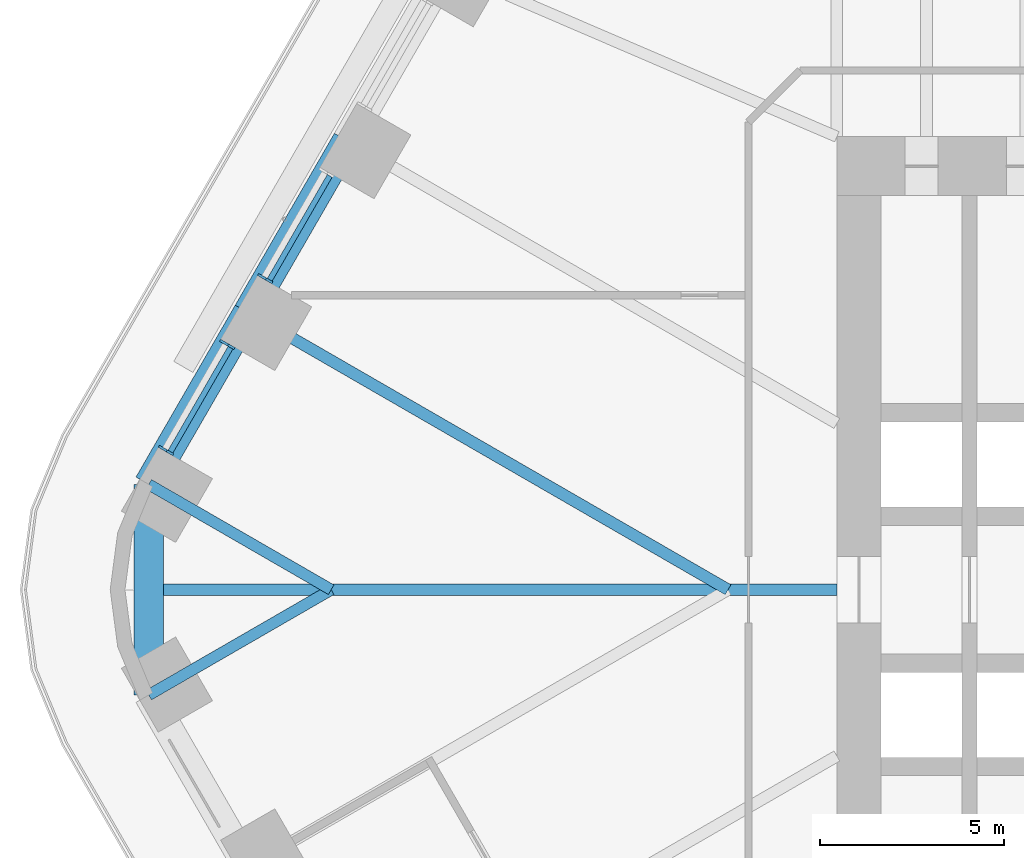
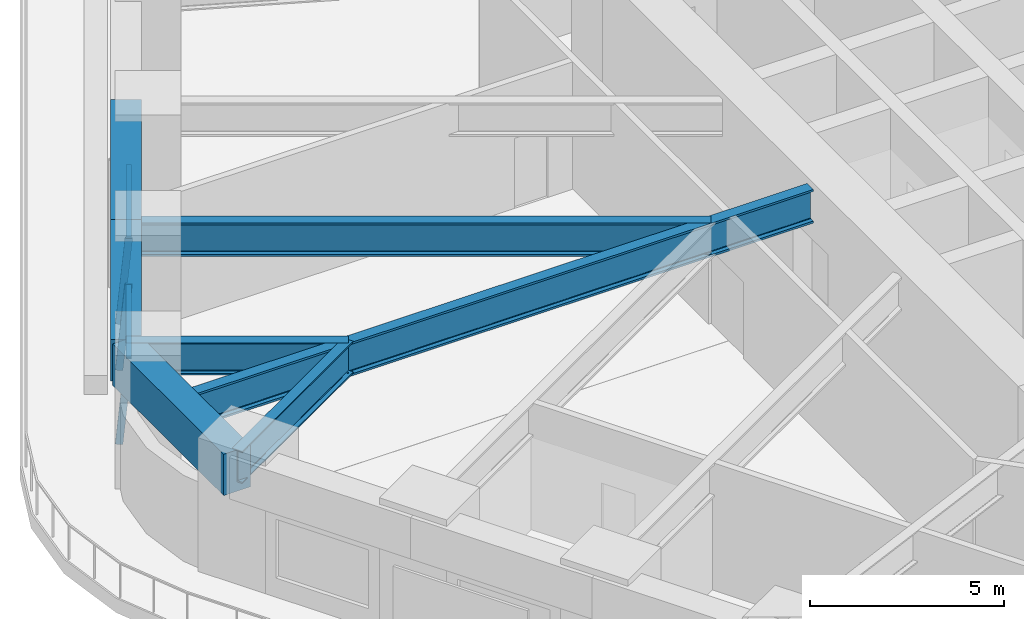
# One storey, part 6 of 24: 7 beams, 5 members, 2 elements without a shape of their own.
"""IFC4 building model written with IfcOpenShell, lengths in metres."""

from ifc_helpers import new_model, si_unit, direction, frame, origin, origin_2d, place, context, subcontext, project, spatial, rectangle, i_section, extrude, material, material_profile, profile_set, type_object, element, aggregate, save


model = new_model("IFC4")

# Units and contexts
model_context = context("Model", 3, precision=1e-05, world=origin(), true_north=direction((0.0, 1.0)))
body_context = subcontext(model_context, "Body", "Model", "MODEL_VIEW")
ifc_project = project(units=[si_unit("LENGTHUNIT", "METRE"), si_unit("AREAUNIT", "SQUARE_METRE"), si_unit("VOLUMEUNIT", "CUBIC_METRE"), si_unit("PLANEANGLEUNIT", "RADIAN"), si_unit("MASSUNIT", "GRAM", prefix="KILO")], contexts=[model_context])

# Site, building, storey
site_placement = place(None, origin())
site = spatial("IfcSite", under=ifc_project, at=site_placement, CompositionType="ELEMENT")
building_placement = place(site_placement, origin())
building = spatial("IfcBuilding", under=site, at=building_placement, Name="Tarfa Lantern Tower", CompositionType="ELEMENT")
storey_placement = place(building_placement, frame((0.0, 0.0, 73.89990234375)))
storey = spatial("IfcBuildingStorey", under=building, at=storey_placement, Name="L16", CompositionType="ELEMENT", Elevation=73.89990234375)

# Curtain wall, member
ifc_material_1 = material(Name="Aluminium framed curtain wall", Category="aluminium")
curtain_wall_type = type_object("IfcCurtainWallType", Name="CW1 CANTED GLAZING LOW ZONE 2700", PredefinedType="USERDEFINED", material=ifc_material_1)
curtain_wall_1_placement = place(storey_placement, origin())
curtain_wall_1 = element("IfcCurtainWall", 1, at=curtain_wall_1_placement, inside=storey, type_object=curtain_wall_type, Name="CW1 NW L16", ObjectType="CURTAIN WALL", PredefinedType="USERDEFINED")
ifc_material_2 = material(Name="Aluminium mullion", Category="aluminium")
ifc_material_profile_1 = material_profile(ifc_material_2, rectangle(XDim=0.06494140625, YDim=0.199951171875, at=origin_2d()), Name="AL MULLION 65x200")
ifc_profile_set_1 = profile_set([ifc_material_profile_1], Name="Aluminium mullion")
member_type_1 = type_object("IfcMemberType", Name="CWM1 MULLION 65x200", PredefinedType="MULLION", material=ifc_profile_set_1)
member_1_placement = place(storey_placement, frame((-34.230712890625, 8.5107421875, 0.0), z_axis=(0.079857261722, -0.046095736191, 0.995739926314), x_axis=(0.499919672301, 0.866071776036, 0.0)))
member_1 = element("IfcMember", 2, at=member_1_placement, type_object=member_type_1, Name="CW1 mullion 2", PredefinedType="MULLION", context=body_context, shape_type="SweptSolid", body=[
    extrude(rectangle(XDim=0.06494140625, YDim=0.199951171875, at=origin_2d()), origin(), (0.0, 0.0, 1.0), 2.711669921875),
])

# Curtain wall, members
curtain_wall_2_placement = place(storey_placement, origin())
curtain_wall_2 = element("IfcCurtainWall", 3, at=curtain_wall_2_placement, inside=storey, type_object=curtain_wall_type, Name="CW1 NW L16", ObjectType="CURTAIN WALL", PredefinedType="USERDEFINED")
member_2_placement = place(storey_placement, frame((-35.26318359375, 6.722412109375, 0.0), z_axis=(0.079857261722, -0.046095736191, 0.995739926314), x_axis=(0.499919672301, 0.866071776036, 0.0)))
member_2 = element("IfcMember", 4, at=member_2_placement, type_object=member_type_1, Name="CW1 mullion 1", PredefinedType="MULLION", context=body_context, shape_type="SweptSolid", body=[
    extrude(rectangle(XDim=0.06494140625, YDim=0.199951171875, at=origin_2d()), origin(), (0.0, 0.0, 1.0), 2.711669921875),
])
member_3_placement = place(storey_placement, frame((-36.9248046875, 3.84423828125, 0.0), z_axis=(0.079767804165, -0.046096067418, 0.995747081335), x_axis=(0.500342721131, 0.865827443207, 0.0)))
member_3 = element("IfcMember", 5, at=member_3_placement, type_object=member_type_1, Name="CW1 mullion 2", PredefinedType="MULLION", context=body_context, shape_type="SweptSolid", body=[
    extrude(rectangle(XDim=0.06494140625, YDim=0.199951171875, at=origin_2d()), origin(), (0.0, 0.0, 1.0), 2.711669921875),
])

# Member
ifc_material_3 = material(Name="Aluminium transom", Category="aluminium")
ifc_material_profile_2 = material_profile(ifc_material_3, rectangle(XDim=0.14990234375, YDim=0.06494140625, at=origin_2d()), Name="AL TRANSOM 150x65")
ifc_profile_set_2 = profile_set([ifc_material_profile_2], Name="Aluminium transom")
member_type_2 = type_object("IfcMemberType", Name="CWT1 TRANSOM 150x65", PredefinedType="USERDEFINED", material=ifc_profile_set_2)
member_4_placement = place(storey_placement, frame((-32.37109375, 11.237548828125, 2.66748046875), z_axis=(-0.500022939057, -0.866012159509, 0.0), x_axis=(0.866012159509, -0.500022939057, 0.0)))
member_4 = element("IfcMember", 6, at=member_4_placement, type_object=member_type_2, Name="CW1 transom 1.2", ObjectType="TRANSOM", PredefinedType="USERDEFINED", context=body_context, shape_type="SweptSolid", body=[
    extrude(rectangle(XDim=0.14990234375, YDim=0.06494140625, at=origin_2d()), origin(), (0.0, 0.0, 1.0), 3.258544921875),
])

aggregate(curtain_wall_1, [member_1, member_4])

member_5_placement = place(storey_placement, frame((-35.0654296875, 6.57080078125, 2.66748046875), z_axis=(-0.500022939057, -0.866012159509, 0.0), x_axis=(0.866012159509, -0.500022939057, 0.0)))
member_5 = element("IfcMember", 7, at=member_5_placement, type_object=member_type_2, Name="CW1 transom 1.2", ObjectType="TRANSOM", PredefinedType="USERDEFINED", context=body_context, shape_type="SweptSolid", body=[
    extrude(rectangle(XDim=0.14990234375, YDim=0.06494140625, at=origin_2d()), origin(), (0.0, 0.0, 1.0), 3.258544921875),
])

aggregate(curtain_wall_2, [member_2, member_3, member_5])

# Beams
ifc_material_4 = material(Name="Concrete C80/95", Category="concrete")
ifc_material_profile_3 = material_profile(ifc_material_4, rectangle(XDim=0.800048828125, YDim=1.300048828125, at=origin_2d()), Name="RC 800x1300")
ifc_profile_set_3 = profile_set([ifc_material_profile_3], Name="Concrete C80/95")
beam_type_1 = type_object("IfcBeamType", Name="EB1 RC 800x1300", PredefinedType="SPANDREL", material=ifc_profile_set_3)
beam_1_placement = place(storey_placement, frame((-31.896728515625, 12.193359375, 3.35009765625), z_axis=(-0.499998287579, -0.866026392449, 0.0), x_axis=(0.866026392449, -0.499998287579, 0.0)))
element("IfcBeam", 8, at=beam_1_placement, inside=storey, type_object=beam_type_1, Name="Edge beam NW4", PredefinedType="SPANDREL", context=body_context, shape_type="SweptSolid", body=[
    extrude(rectangle(XDim=0.800048828125, YDim=1.300048828125, at=origin_2d()), origin(), (0.0, 0.0, 1.0), 5.388671875),
])
beam_2_placement = place(storey_placement, frame((-34.591064453125, 7.526611328125, 3.35009765625), z_axis=(-0.500017906299, -0.866015065331, 0.0), x_axis=(0.866015065331, -0.500017906299, 0.0)))
element("IfcBeam", 9, at=beam_2_placement, inside=storey, type_object=beam_type_1, Name="Edge beam NW5", PredefinedType="SPANDREL", context=body_context, shape_type="SweptSolid", body=[
    extrude(rectangle(XDim=0.800048828125, YDim=1.300048828125, at=origin_2d()), origin(), (0.0, 0.0, 1.0), 5.388427734375),
])
beam_3_placement = place(storey_placement, frame((-37.285400390625, 2.860107421875, 3.35009765625), z_axis=(0.0, -1.0, 0.0), x_axis=(1.0, 0.0, 0.0)))
element("IfcBeam", 10, at=beam_3_placement, inside=storey, type_object=beam_type_1, Name="Edge beam NW6", PredefinedType="SPANDREL", context=body_context, shape_type="SweptSolid", body=[
    extrude(rectangle(XDim=0.800048828125, YDim=1.300048828125, at=origin_2d()), origin(), (0.0, 0.0, 1.0), 5.72021484375),
])
ifc_material_5 = material(Name="Steel S460M", Category="steel")
ifc_material_profile_4 = material_profile(ifc_material_5, i_section(OverallWidth=0.302001953125, OverallDepth=1.008056640625, WebThickness=0.02099609375, FlangeThickness=0.0400390625, FilletRadius=0.030029296875, at=origin_2d()), Name="UB1016x305x349")
ifc_profile_set_4 = profile_set([ifc_material_profile_4], Name="Steel S460M")
beam_type_2 = type_object("IfcBeamType", Name="UB1016x305x349", PredefinedType="BEAM", material=ifc_profile_set_4)
for number, where, z_axis, x_axis, name in (
    (11, (-37.285400390625, 2.860107421875, 3.49609375), (0.866025668288, -0.499999541866, 0.0), (0.499999541866, 0.866025668288, 0.0), "Floor beam NW6"),
    (12, (-37.285400390625, -2.860107421875, 3.49609375), (0.866025668288, 0.499999541866, 0.0), (-0.499999541866, 0.866025668288, 0.0), "Floor beam SW0"),
):
    element("IfcBeam", number, at=place(storey_placement, frame(where, z_axis=z_axis, x_axis=x_axis)), inside=storey, type_object=beam_type_2, Name=name, PredefinedType="BEAM", context=body_context, shape_type="SweptSolid", body=[
        extrude(i_section(OverallWidth=0.302001953125, OverallDepth=1.008056640625, WebThickness=0.02099609375, FlangeThickness=0.0400390625, FilletRadius=0.030029296875, at=origin_2d()), origin(), (0.0, 0.0, 1.0), 5.72021484375),
    ])
ifc_material_profile_5 = material_profile(ifc_material_5, i_section(OverallWidth=0.314208984375, OverallDepth=1.055908203125, WebThickness=0.035888671875, FlangeThickness=0.06396484375, FilletRadius=0.030029296875, at=origin_2d()), Name="UB1016x305x584")
ifc_profile_set_5 = profile_set([ifc_material_profile_5], Name="Steel S460M")
beam_type_3 = type_object("IfcBeamType", Name="UB1016x305x584", PredefinedType="BEAM", material=ifc_profile_set_5)
beam_4_placement = place(storey_placement, frame((-18.60009765625, 0.0, 3.47216796875), z_axis=(-1.0, 0.0, 0.0), x_axis=(0.0, -1.0, 0.0)))
element("IfcBeam", 13, at=beam_4_placement, inside=storey, type_object=beam_type_3, Name="Hip girder W", PredefinedType="BEAM", context=body_context, shape_type="SweptSolid", body=[
    extrude(i_section(OverallWidth=0.314208984375, OverallDepth=1.055908203125, WebThickness=0.035888671875, FlangeThickness=0.06396484375, FilletRadius=0.030029296875, at=origin_2d()), origin(), (0.0, 0.0, 1.0), 18.685302734375),
])
beam_5_placement = place(storey_placement, frame((-34.591064453125, 7.526611328125, 3.47216796875), z_axis=(0.86602785945, -0.499995746638, 0.0), x_axis=(0.499995746638, 0.86602785945, 0.0)))
element("IfcBeam", 14, at=beam_5_placement, inside=storey, type_object=beam_type_3, Name="Floor beam NW5", PredefinedType="BEAM", context=body_context, shape_type="SweptSolid", body=[
    extrude(i_section(OverallWidth=0.314208984375, OverallDepth=1.055908203125, WebThickness=0.035888671875, FlangeThickness=0.06396484375, FilletRadius=0.030029296875, at=origin_2d()), origin(), (0.0, 0.0, 1.0), 15.053466796875),
])

save(model, "model.ifc")
